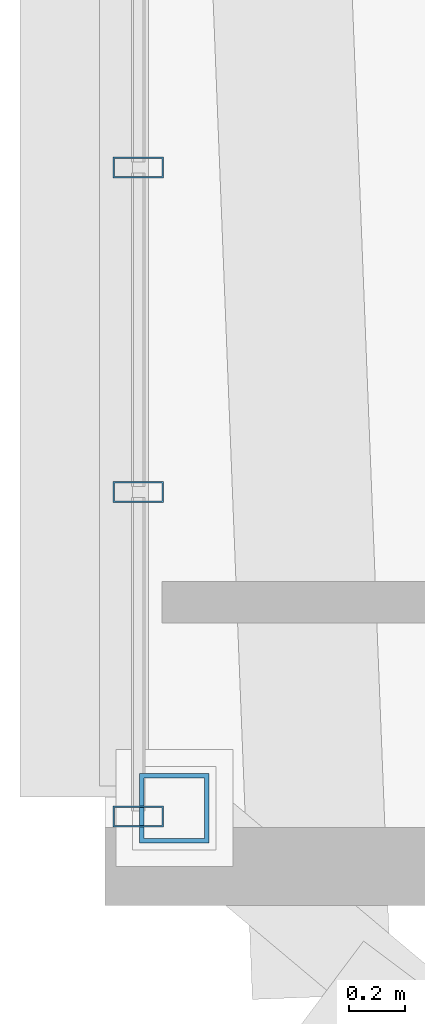
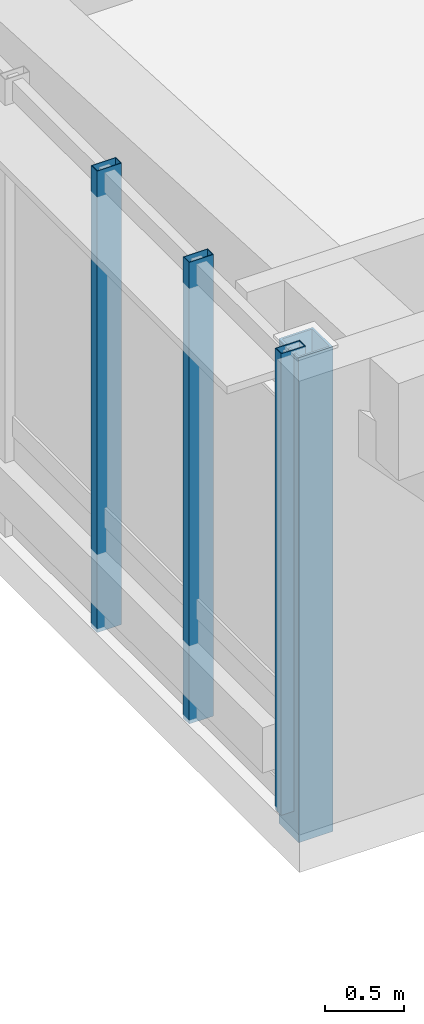
# One storey, part 2 of 16: 4 members, 1 element without a shape of its own.
"""IFC4 building model written with IfcOpenShell, lengths in metres."""

from ifc_helpers import new_model, si_unit, direction, frame, origin, origin_2d, place, context, subcontext, project, spatial, hollow_rectangle, extrude, material, material_profile, profile_set, type_object, element, aggregate, save


model = new_model("IFC4")

# Units and contexts
model_context = context("Model", 3, precision=1e-05, world=origin(), true_north=direction((0.0, 1.0)))
body_context = subcontext(model_context, "Body", "Model", "MODEL_VIEW")
ifc_project = project(units=[si_unit("LENGTHUNIT", "METRE"), si_unit("AREAUNIT", "SQUARE_METRE"), si_unit("VOLUMEUNIT", "CUBIC_METRE"), si_unit("PLANEANGLEUNIT", "RADIAN"), si_unit("MASSUNIT", "GRAM", prefix="KILO")], contexts=[model_context])

# Site, building, storey
site_placement = place(None, origin())
site = spatial("IfcSite", under=ifc_project, at=site_placement, CompositionType="ELEMENT")
building_placement = place(site_placement, origin())
building = spatial("IfcBuilding", under=site, at=building_placement, Name="Zulverin Broadcast Headquarters", CompositionType="ELEMENT")
storey_placement = place(building_placement, frame((0.0, 0.0, 228.800048828125)))
storey = spatial("IfcBuildingStorey", under=building, at=storey_placement, Name="L58", CompositionType="ELEMENT", Elevation=228.800048828125)

# Curtain wall, members
ifc_material_1 = material(Name="Acoustic triple-glazed studio box curtain wall", Category="aluminium")
curtain_wall_type = type_object("IfcCurtainWallType", Name="CW-SBOX", PredefinedType="USERDEFINED", material=ifc_material_1)
curtain_wall_placement = place(storey_placement, origin())
curtain_wall = element("IfcCurtainWall", 1, at=curtain_wall_placement, inside=storey, type_object=curtain_wall_type, Name="L58 Unitised Curtain Wall CW-L58-SBOX_SKY2_W-F", ObjectType="UNITISED CURTAIN WALL", PredefinedType="USERDEFINED")
ifc_material_2 = material(Name="Anodized pale-metal aluminium alloy 6063-T6", Category="aluminium")
ifc_material_profile_1 = material_profile(ifc_material_2, hollow_rectangle(XDim=0.074951171875, YDim=0.179931640625, WallThickness=0.0048828125, at=origin_2d()), Name="Anodized pale-metal aluminium alloy 6063-T6", Category="aluminium")
ifc_profile_set_1 = profile_set([ifc_material_profile_1], Name="Anodized pale-metal aluminium alloy 6063-T6")
member_type_1 = type_object("IfcMemberType", Name="CW-MUL-180", PredefinedType="MULLION", material=ifc_profile_set_1)
member_1_placement = place(storey_placement, frame((8.02001953125, 22.261474609375, -0.030029296875), z_axis=(0.0, 0.0, 1.0), x_axis=(0.0, -1.0, 0.0)))
member_1 = element("IfcMember", 2, at=member_1_placement, type_object=member_type_1, Name="CW-L58-SBOX_SKY2_W-F Mullion 05", PredefinedType="MULLION", context=body_context, shape_type="SweptSolid", body=[
    extrude(hollow_rectangle(XDim=0.074951171875, YDim=0.179931640625, WallThickness=0.0048828125, at=origin_2d()), origin(), (0.0, 0.0, 1.0), 3.570068359375),
])
member_2_placement = place(storey_placement, frame((8.02001953125, 21.095703125, -0.030029296875), z_axis=(0.0, 0.0, 1.0), x_axis=(0.0, -1.0, 0.0)))
member_2 = element("IfcMember", 3, at=member_2_placement, type_object=member_type_1, Name="CW-L58-SBOX_SKY2_W-F Mullion 06", PredefinedType="MULLION", context=body_context, shape_type="SweptSolid", body=[
    extrude(hollow_rectangle(XDim=0.074951171875, YDim=0.179931640625, WallThickness=0.0048828125, at=origin_2d()), origin(), (0.0, 0.0, 1.0), 3.570068359375),
])
member_3_placement = place(storey_placement, frame((8.02001953125, 19.929931640625, -0.030029296875), z_axis=(0.0, 0.0, 1.0), x_axis=(0.0, -1.0, 0.0)))
member_3 = element("IfcMember", 4, at=member_3_placement, type_object=member_type_1, Name="CW-L58-SBOX_SKY2_W-F Mullion 07", PredefinedType="MULLION", context=body_context, shape_type="SweptSolid", body=[
    extrude(hollow_rectangle(XDim=0.074951171875, YDim=0.179931640625, WallThickness=0.0048828125, at=origin_2d()), origin(), (0.0, 0.0, 1.0), 3.570068359375),
])
aggregate(curtain_wall, [member_1, member_2, member_3])

# Member
ifc_material_3 = material(Name="Structural steel S355JR", Category="steel")
ifc_material_profile_2 = material_profile(ifc_material_3, hollow_rectangle(XDim=0.25, YDim=0.25, WallThickness=0.01611328125, at=origin_2d()), Name="Structural steel S355JR", Category="steel")
ifc_profile_set_2 = profile_set([ifc_material_profile_2], Name="Structural steel S355JR")
member_type_2 = type_object("IfcMemberType", Name="MBR-BLT-POST", PredefinedType="POST", material=ifc_profile_set_2)
member_4_placement = place(storey_placement, frame((8.14990234375, 19.9599609375, -0.239990234375), z_axis=(0.0, 0.0, 1.0), x_axis=(1.0, 0.0, 0.0)))
element("IfcMember", 5, at=member_4_placement, inside=storey, type_object=member_type_2, Name="L58 Shifted Studio Box Frame Post SBOX_SKY2_W-1", PredefinedType="POST", context=body_context, shape_type="SweptSolid", body=[
    extrude(hollow_rectangle(XDim=0.25, YDim=0.25, WallThickness=0.01611328125, at=origin_2d()), origin(), (0.0, 0.0, 1.0), 3.75),
])

save(model, "model.ifc")
